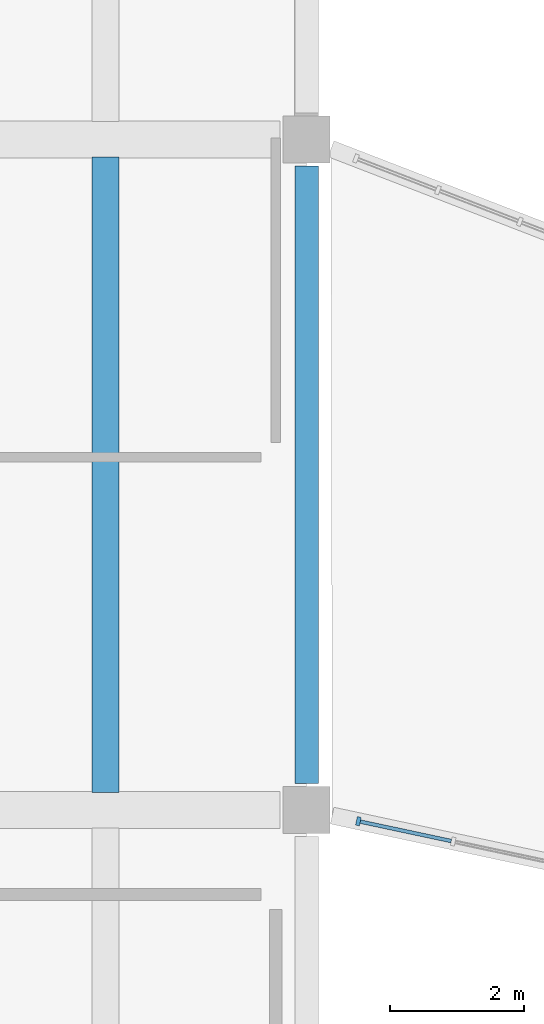
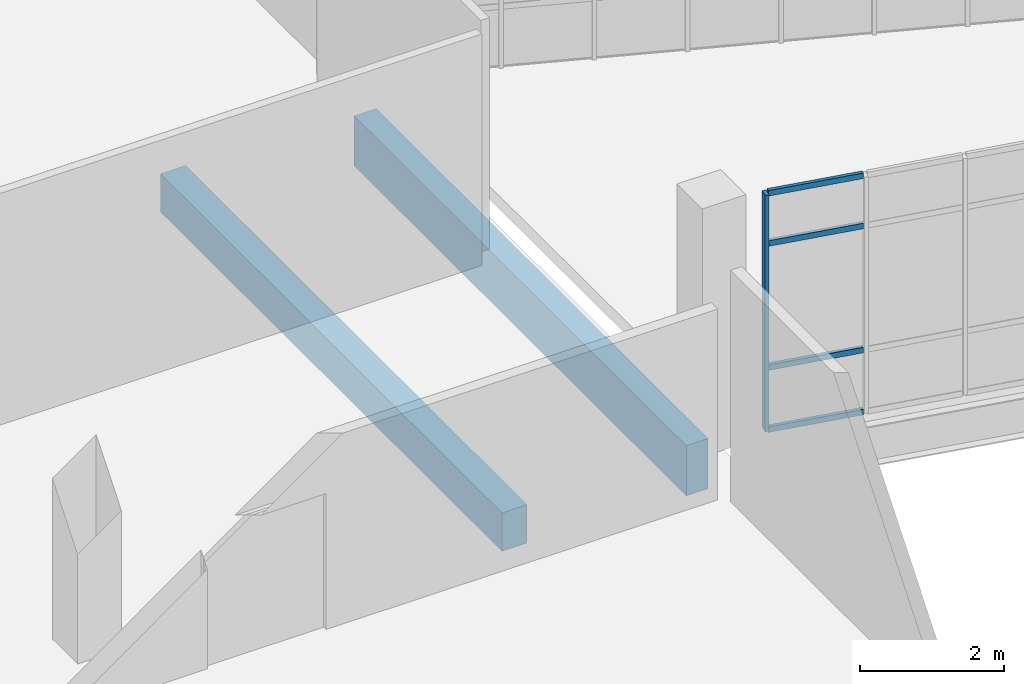
# One storey, part 6 of 142: 5 members, 2 beams, 1 element without a shape of its own.
"""IFC4 building model written with IfcOpenShell, lengths in metres."""

import ifcopenshell
import ifcopenshell.guid

model = None  # the IFC model being written
_history = None  # IfcOwnerHistory: only IFC2X3 demands one
_inside = {}  # id of a spatial element -> (the spatial element, [elements in it])
_under = {}  # id of a project, library or spatial element -> (it, [spatial elements below it])
_declared = {}  # id of a project -> (the project, [libraries it declares])
_typed = {}  # id of a type object -> (the type object, [elements of that type])
_made_of = {}  # id of a material, layer set ... -> (it, [elements and type objects made of it])


def new_model(schema):
    """Start an empty IFC model of exactly this schema.

    Asked for "IFC4X3", IfcOpenShell would pick the latest addendum, in which some entities
    have other attributes; the version numbers below select the first issue.
    IFC2X3 requires an IfcOwnerHistory on every rooted entity: one is made here for all.
    """
    global model, _history
    if schema == "IFC4X3":
        model = ifcopenshell.file(schema_version=(4, 3, 0, 0))
    else:
        model = ifcopenshell.file(schema=schema)
    _inside.clear()
    _under.clear()
    _declared.clear()
    _typed.clear()
    _made_of.clear()
    _history = None
    if model.schema == "IFC2X3":
        org = make("IfcOrganization", Name="unknown")
        user = make(
            "IfcPersonAndOrganization",
            ThePerson=make("IfcPerson", FamilyName="unknown"),
            TheOrganization=org,
        )
        app = make(
            "IfcApplication",
            ApplicationDeveloper=org,
            Version="unknown",
            ApplicationFullName="unknown",
            ApplicationIdentifier="unknown",
        )
        _history = make(
            "IfcOwnerHistory",
            OwningUser=user,
            OwningApplication=app,
            ChangeAction="ADDED",
            CreationDate=0,
        )
    return model


def make(cls, **values):
    """One entity of the class cls with the attributes given. An attribute that is None is left unset."""
    return model.create_entity(
        cls, **{name: value for name, value in values.items() if value is not None}
    )


def rooted(cls, **values):
    """An entity with a GlobalId (a new one), such as an element, a storey or a relation."""
    return make(cls, GlobalId=ifcopenshell.guid.new(), OwnerHistory=_history, **values)


def si_unit(unit_type, name, prefix=None):
    """IfcSIUnit, for example si_unit("LENGTHUNIT", "METRE", prefix="MILLI")."""
    return make("IfcSIUnit", UnitType=unit_type, Prefix=prefix, Name=name)


def assignment(units):
    """IfcUnitAssignment: the units of a project."""
    return None if units is None else make("IfcUnitAssignment", Units=units)


def point(xyz):
    """IfcCartesianPoint."""
    return None if xyz is None else make("IfcCartesianPoint", Coordinates=xyz)


def direction(xyz):
    """IfcDirection."""
    return None if xyz is None else make("IfcDirection", DirectionRatios=xyz)


def frame(location, z_axis=None, x_axis=None):
    """IfcAxis2Placement3D, a coordinate frame: its origin and axes. An axis left out is left unset."""
    return make(
        "IfcAxis2Placement3D",
        Location=point(location),
        Axis=direction(z_axis),
        RefDirection=direction(x_axis),
    )


def frame_2d(location, x_axis=None):
    """IfcAxis2Placement2D, a coordinate frame in the plane: its origin and x axis."""
    return make(
        "IfcAxis2Placement2D", Location=point(location), RefDirection=direction(x_axis)
    )


def origin():
    """The frame at (0, 0, 0) with its axes left unset."""
    return frame((0.0, 0.0, 0.0))


def origin_2d():
    """The frame at (0, 0) in the plane with its x axis left unset."""
    return frame_2d((0.0, 0.0))


def place(relative_to, where):
    """IfcLocalPlacement: puts the frame where relative to a parent placement (None: the world)."""
    return make(
        "IfcLocalPlacement", PlacementRelTo=relative_to, RelativePlacement=where
    )


def context(
    kind, dimensions, precision=None, world=None, true_north=None, identifier=None
):
    """IfcGeometricRepresentationContext, for example the 3D "Model" context."""
    return make(
        "IfcGeometricRepresentationContext",
        ContextIdentifier=identifier,
        ContextType=kind,
        CoordinateSpaceDimension=dimensions,
        Precision=precision,
        WorldCoordinateSystem=world,
        TrueNorth=true_north,
    )


def subcontext(parent, identifier, kind, view, scale=None):
    """IfcGeometricRepresentationSubContext, for example "Body" below "Model"."""
    return make(
        "IfcGeometricRepresentationSubContext",
        ContextIdentifier=identifier,
        ContextType=kind,
        ParentContext=parent,
        TargetScale=scale,
        TargetView=view,
    )


def project(units=None, contexts=None):
    """IfcProject with its units and contexts."""
    return rooted(
        "IfcProject",
        Name="project",
        RepresentationContexts=contexts,
        UnitsInContext=assignment(units),
    )


def spatial(cls, under=None, at=None, **own):
    """A site, building, storey or space (cls), placed at a placement, below another one or the project."""
    s = rooted(cls, ObjectPlacement=at, **own)
    if under is not None:
        _under.setdefault(under.id(), (under, []))[1].append(s)
    return s


def profile(cls, at=None, kind="AREA", **sizes):
    """A parametric profile (cls). Its sizes go by their IFC names, for example OverallWidth=200.0."""
    return make(cls, ProfileType=kind, Position=at, **sizes)


def rectangle(**sizes):
    """IfcRectangleProfileDef."""
    return profile("IfcRectangleProfileDef", **sizes)


def extrude(swept, where, along, depth):
    """IfcExtrudedAreaSolid: the profile swept, set in the frame where, extruded along a direction by depth."""
    return make(
        "IfcExtrudedAreaSolid",
        SweptArea=swept,
        Position=where,
        ExtrudedDirection=direction(along),
        Depth=depth,
    )


def shape(context_of_items, identifier, shape_type, items):
    """IfcShapeRepresentation: the items that make up one representation, for example the "Body"."""
    return make(
        "IfcShapeRepresentation",
        ContextOfItems=context_of_items,
        RepresentationIdentifier=identifier,
        RepresentationType=shape_type,
        Items=items,
    )


def material(Name=None, Category=None):
    """IfcMaterial."""
    return make("IfcMaterial", Name=Name, Category=Category)


def layer(
    of_material, thickness, ventilated=None, Name=None, Category=None, Priority=None
):
    """IfcMaterialLayer: one layer of a wall or slab, of a material (None: an air gap)."""
    return make(
        "IfcMaterialLayer",
        Material=of_material,
        LayerThickness=thickness,
        IsVentilated=ventilated,
        Name=Name,
        Category=Category,
        Priority=Priority,
    )


def layer_set(layers, Name=None):
    """IfcMaterialLayerSet."""
    return make("IfcMaterialLayerSet", MaterialLayers=layers, LayerSetName=Name)


def material_profile(
    of_material, cross_section, Name=None, Category=None, Priority=None
):
    """IfcMaterialProfile: a cross section and its material."""
    return make(
        "IfcMaterialProfile",
        Name=Name,
        Material=of_material,
        Profile=cross_section,
        Priority=Priority,
        Category=Category,
    )


def profile_set(profiles, Name=None, composite=None):
    """IfcMaterialProfileSet."""
    return make(
        "IfcMaterialProfileSet",
        Name=Name,
        MaterialProfiles=profiles,
        CompositeProfile=composite,
    )


def made_of(thing, what):
    """Note that an element or type object is made of a material, layer set ...; save() writes the relation."""
    if what is not None:
        _made_of.setdefault(what.id(), (what, []))[1].append(thing)
    return thing


def type_object(cls, material=None, **own):
    """A type object (cls), such as IfcWallType, which elements share."""
    return made_of(rooted(cls, **own), material)


def element(
    cls,
    number,
    at=None,
    inside=None,
    cuts=None,
    type_object=None,
    material=None,
    context=None,
    identifier="Body",
    shape_type=None,
    held_by="IfcProductDefinitionShape",
    body=None,
    shapes=None,
    **own,
):
    """One element of the class cls, such as IfcWall. Its Tag is "e" and its number.

    at: its placement. inside: the storey or other place that contains it. cuts: it is an
    opening in that element (IfcRelVoidsElement). A single representation is given by context,
    identifier, shape_type and body (its items); several are given by shapes. held_by: the class
    of the entity that holds the representations. save() writes the other relations.
    """
    e = rooted(cls, Tag="e%d" % number, ObjectPlacement=at, **own)
    if body is not None:
        shapes = [shape(context, identifier, shape_type, body)]
    if shapes is not None:
        e.Representation = make(held_by, Representations=shapes)
    if inside is not None:
        _inside.setdefault(inside.id(), (inside, []))[1].append(e)
    if cuts is not None:
        rooted(
            "IfcRelVoidsElement", RelatingBuildingElement=cuts, RelatedOpeningElement=e
        )
    if type_object is not None:
        _typed.setdefault(type_object.id(), (type_object, []))[1].append(e)
    return made_of(e, material)


def aggregate(whole, parts):
    """IfcRelAggregates: a whole, such as a stair, and the parts it consists of."""
    return rooted("IfcRelAggregates", RelatingObject=whole, RelatedObjects=parts)


def save(model, path):
    """Write the relations noted so far, then the file.

    IfcRelAggregates (storeys below a building ...), IfcRelContainedInSpatialStructure (elements
    in a storey), IfcRelDefinesByType, IfcRelAssociatesMaterial and IfcRelDeclares: one each for
    every whole, place, type object, material and project.
    """
    for whole, parts in _under.values():
        aggregate(whole, parts)
    for where, things in _inside.values():
        rooted(
            "IfcRelContainedInSpatialStructure",
            RelatedElements=things,
            RelatingStructure=where,
        )
    for kind, things in _typed.values():
        rooted("IfcRelDefinesByType", RelatedObjects=things, RelatingType=kind)
    for what, things in _made_of.values():
        rooted("IfcRelAssociatesMaterial", RelatedObjects=things, RelatingMaterial=what)
    for by, libraries in _declared.values():
        rooted("IfcRelDeclares", RelatingContext=by, RelatedDefinitions=libraries)
    model.write(path)


model = new_model("IFC4")

# Units and contexts
model_context = context("Model", 3, precision=1e-05, world=origin(), true_north=direction((0.0, 1.0)))
body_context = subcontext(model_context, "Body", "Model", "MODEL_VIEW")
ifc_project = project(units=[si_unit("LENGTHUNIT", "METRE"), si_unit("AREAUNIT", "SQUARE_METRE"), si_unit("VOLUMEUNIT", "CUBIC_METRE"), si_unit("PLANEANGLEUNIT", "RADIAN"), si_unit("MASSUNIT", "GRAM", prefix="KILO")], contexts=[model_context])

# Site, building, storey
site_placement = place(None, origin())
site = spatial("IfcSite", under=ifc_project, at=site_placement, CompositionType="ELEMENT")
building_placement = place(site_placement, origin())
building = spatial("IfcBuilding", under=site, at=building_placement, Name="Corvandel Quay Wholesale Market", CompositionType="ELEMENT")
storey_placement = place(building_placement, frame((0.0, 0.0, 10.800048828125)))
storey = spatial("IfcBuildingStorey", under=building, at=storey_placement, Name="L02", CompositionType="ELEMENT", Elevation=10.800048828125)

# Curtain wall, members
ifc_material_1 = material(Name="Bronze anodised aluminium and low-E insulated glazing", Category="aluminium")
ifc_layer = layer(ifc_material_1, 0.162109375)
ifc_layer_set = layer_set([ifc_layer], Name="Bronze anodised aluminium and low-E insulated glazing")
curtain_wall_type = type_object("IfcCurtainWallType", Name="Stick Curtain Wall System CW21 H4890", PredefinedType="NOTDEFINED", material=ifc_layer_set)
curtain_wall_placement = place(storey_placement, origin())
curtain_wall = element("IfcCurtainWall", 1, at=curtain_wall_placement, inside=storey, type_object=curtain_wall_type, Name="Curtain Wall CW-0174", PredefinedType="NOTDEFINED")
ifc_material_2 = material(Name="Anodised aluminium 6063-T6", Category="aluminium")
ifc_material_profile_1 = material_profile(ifc_material_2, rectangle(XDim=0.06005859375, YDim=0.1298828125, at=origin_2d()), Name="ALU-MUL-60x130")
ifc_profile_set_1 = profile_set([ifc_material_profile_1], Name="Anodised aluminium 6063-T6")
member_type_1 = type_object("IfcMemberType", Name="Clerestory Mullion ML03 60x130", PredefinedType="MULLION", material=ifc_profile_set_1)
member_1_placement = place(storey_placement, frame((50.7724609375, 39.8349609375, -0.030029296875), z_axis=(0.0, 0.0, 1.0), x_axis=(-0.977929339831, 0.208935890402, 0.0)))
member_1 = element("IfcMember", 2, at=member_1_placement, type_object=member_type_1, Name="Mullion CW-0174-M00", PredefinedType="MULLION", context=body_context, shape_type="SweptSolid", body=[
    extrude(rectangle(XDim=0.06005859375, YDim=0.1298828125, at=origin_2d()), origin(), (0.0, 0.0, 1.0), 4.0),
])
ifc_material_profile_2 = material_profile(ifc_material_2, rectangle(XDim=0.054931640625, YDim=0.094970703125, at=origin_2d()), Name="ALU-TRN-55x95")
ifc_profile_set_2 = profile_set([ifc_material_profile_2], Name="Anodised aluminium 6063-T6")
member_type_2 = type_object("IfcMemberType", Name="Clerestory Transom TR03 55x95", PredefinedType="USERDEFINED", material=ifc_profile_set_2)
member_2_placement = place(storey_placement, frame((50.8017578125, 39.82861328125, -0.030029296875), z_axis=(0.977949182371, -0.208842995334, 0.0), x_axis=(0.208842995334, 0.977949182371, 0.0)))
member_2 = element("IfcMember", 3, at=member_2_placement, type_object=member_type_2, Name="Transom CW-0174-T00-0", ObjectType="TRANSOM", PredefinedType="USERDEFINED", context=body_context, shape_type="SweptSolid", body=[
    extrude(rectangle(XDim=0.054931640625, YDim=0.094970703125, at=origin_2d()), origin(), (0.0, 0.0, 1.0), 1.38525390625),
])
member_3_placement = place(storey_placement, frame((50.8017578125, 39.82861328125, 1.02001953125), z_axis=(0.977949182371, -0.208842995334, 0.0), x_axis=(0.208842995334, 0.977949182371, 0.0)))
member_3 = element("IfcMember", 4, at=member_3_placement, type_object=member_type_2, Name="Transom CW-0174-T00-1", ObjectType="TRANSOM", PredefinedType="USERDEFINED", context=body_context, shape_type="SweptSolid", body=[
    extrude(rectangle(XDim=0.054931640625, YDim=0.094970703125, at=origin_2d()), origin(), (0.0, 0.0, 1.0), 1.38525390625),
])
member_4_placement = place(storey_placement, frame((50.8017578125, 39.82861328125, 3.119873046875), z_axis=(0.977949182371, -0.208842995334, 0.0), x_axis=(0.208842995334, 0.977949182371, 0.0)))
member_4 = element("IfcMember", 5, at=member_4_placement, type_object=member_type_2, Name="Transom CW-0174-T00-2", ObjectType="TRANSOM", PredefinedType="USERDEFINED", context=body_context, shape_type="SweptSolid", body=[
    extrude(rectangle(XDim=0.054931640625, YDim=0.094970703125, at=origin_2d()), origin(), (0.0, 0.0, 1.0), 1.38525390625),
])
member_5_placement = place(storey_placement, frame((50.8017578125, 39.82861328125, 3.969970703125), z_axis=(0.977949182371, -0.208842995334, 0.0), x_axis=(0.208842995334, 0.977949182371, 0.0)))
member_5 = element("IfcMember", 6, at=member_5_placement, type_object=member_type_2, Name="Transom CW-0174-T00-3", ObjectType="TRANSOM", PredefinedType="USERDEFINED", context=body_context, shape_type="SweptSolid", body=[
    extrude(rectangle(XDim=0.054931640625, YDim=0.094970703125, at=origin_2d()), origin(), (0.0, 0.0, 1.0), 1.38525390625),
])
aggregate(curtain_wall, [member_1, member_2, member_3, member_4, member_5])

# Beams
ifc_material_3 = material(Name="Precast concrete C45/55", Category="concrete")
ifc_material_profile_3 = material_profile(ifc_material_3, rectangle(XDim=0.39990234375, YDim=0.64990234375, at=origin_2d()), Name="PC-BM-400x650")
ifc_profile_set_3 = profile_set([ifc_material_profile_3], Name="Precast concrete C45/55")
beam_type_1 = type_object("IfcBeamType", Name="Cold Store Secondary Beam B01 400x650", PredefinedType="BEAM", material=ifc_profile_set_3)
beam_1_placement = place(storey_placement, frame((47.0, 40.264892578125, -0.64501953125), z_axis=(0.0, 1.0, 0.0), x_axis=(-1.0, 0.0, 0.0)))
element("IfcBeam", 7, at=beam_1_placement, inside=storey, type_object=beam_type_1, Name="Beam BM-1272", PredefinedType="BEAM", context=body_context, shape_type="SweptSolid", body=[
    extrude(rectangle(XDim=0.39990234375, YDim=0.64990234375, at=origin_2d()), origin(), (0.0, 0.0, 1.0), 9.47021484375),
])
ifc_material_profile_4 = material_profile(ifc_material_3, rectangle(XDim=0.35009765625, YDim=0.85009765625, at=origin_2d()), Name="PC-SPN-350x850")
ifc_profile_set_4 = profile_set([ifc_material_profile_4], Name="Precast concrete C45/55")
beam_type_2 = type_object("IfcBeamType", Name="Perimeter Precast Spandrel SP01 350x850", PredefinedType="SPANDREL", material=ifc_profile_set_4)
beam_2_placement = place(storey_placement, frame((50.0, 40.39501953125, -0.7451171875), z_axis=(0.0, 1.0, 0.0), x_axis=(-1.0, 0.0, 0.0)))
element("IfcBeam", 8, at=beam_2_placement, inside=storey, type_object=beam_type_2, Name="Beam BM-1233", PredefinedType="SPANDREL", context=body_context, shape_type="SweptSolid", body=[
    extrude(rectangle(XDim=0.35009765625, YDim=0.85009765625, at=origin_2d()), origin(), (0.0, 0.0, 1.0), 9.2099609375),
])

save(model, "model.ifc")
